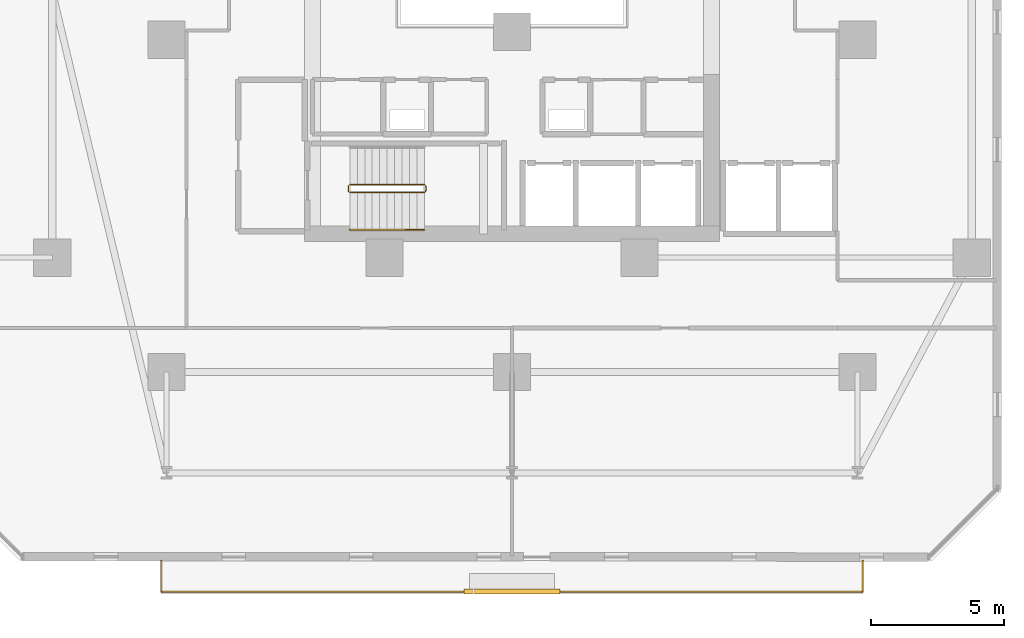
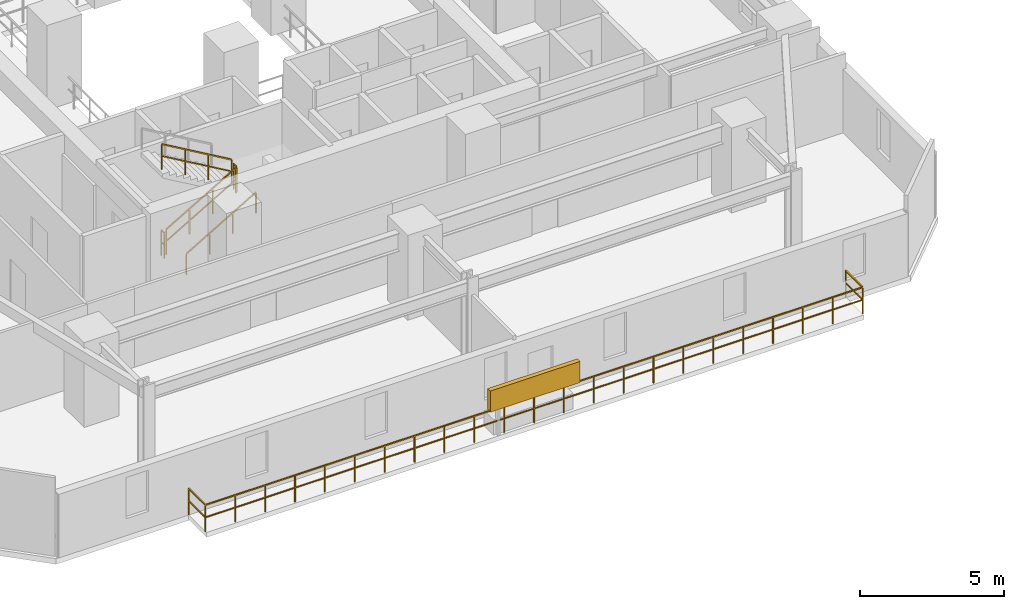
# One storey, part 29 of 33: 6 railings, 1 shading device.
"""IFC4 building model written with IfcOpenShell, lengths in metres."""

from ifc_helpers import new_model, si_unit, direction, frame, origin, origin_2d, place, context, subcontext, project, spatial, rectangle, extrude, material, type_object, element, save


model = new_model("IFC4")

# Units and contexts
model_context = context("Model", 3, precision=1e-05, world=origin(), true_north=direction((0.0, 1.0)))
body_context = subcontext(model_context, "Body", "Model", "MODEL_VIEW")
ifc_project = project(units=[si_unit("LENGTHUNIT", "METRE"), si_unit("AREAUNIT", "SQUARE_METRE"), si_unit("VOLUMEUNIT", "CUBIC_METRE"), si_unit("PLANEANGLEUNIT", "RADIAN"), si_unit("MASSUNIT", "GRAM", prefix="KILO")], contexts=[model_context])

# Site, building, storey
site_placement = place(None, origin())
site = spatial("IfcSite", under=ifc_project, at=site_placement, CompositionType="ELEMENT")
building_placement = place(site_placement, origin())
building = spatial("IfcBuilding", under=site, at=building_placement, Name="Thornwick Lancets Civic Towers", CompositionType="ELEMENT")
storey_placement = place(building_placement, frame((0.0, 0.0, 31.5)))
storey = spatial("IfcBuildingStorey", under=building, at=storey_placement, Name="L07", CompositionType="ELEMENT", Elevation=31.5)

# Railings
ifc_material_1 = material(Name="Brushed stainless steel S355", Category="steel")
railing_type_1 = type_object("IfcRailingType", Name="RAIL_HANDRAIL", PredefinedType="HANDRAIL", material=ifc_material_1)
railing_1_placement = place(storey_placement, frame((19.39990234375, 15.050048828125, 0.16357421875)))
element("IfcRailing", 1, at=railing_1_placement, inside=storey, type_object=railing_type_1, Name="L07 ST-A1 stair handrail 1", PredefinedType="HANDRAIL", context=body_context, shape_type="SweptSolid", body=[
    extrude(rectangle(XDim=0.048095703125, YDim=0.048095703125, at=origin_2d()), frame((0.0, 0.0, 0.8857421875), z_axis=(0.863360870873, 0.0, 0.504586966384), x_axis=(0.0, 1.0, 0.0)), (0.0, 0.0, 1.0), 3.2431640625),
    extrude(rectangle(XDim=0.0419921875, YDim=0.0419921875, at=origin_2d()), origin(), (0.0, 0.0, 1.0), 0.855712890625),
    extrude(rectangle(XDim=0.0419921875, YDim=0.0419921875, at=origin_2d()), frame((0.933349609375, 0.0, 0.54541015625)), (0.0, 0.0, 1.0), 0.855712890625),
    extrude(rectangle(XDim=0.0419921875, YDim=0.0419921875, at=origin_2d()), frame((1.86669921875, 0.0, 1.091064453125)), (0.0, 0.0, 1.0), 0.855712890625),
    extrude(rectangle(XDim=0.0419921875, YDim=0.0419921875, at=origin_2d()), frame((2.800048828125, 0.0, 1.636474609375)), (0.0, 0.0, 1.0), 0.855712890625),
])
ifc_material_2 = material(Name="Steel S355JR", Category="steel")
railing_type_2 = type_object("IfcRailingType", Name="RAIL_STAIR_GUARD", PredefinedType="GUARDRAIL", material=ifc_material_2)
railing_2_placement = place(storey_placement, frame((19.39990234375, 16.449951171875, 0.16357421875)))
element("IfcRailing", 2, at=railing_2_placement, inside=storey, type_object=railing_type_2, Name="L07 ST-A1 stair guard 1", PredefinedType="GUARDRAIL", context=body_context, shape_type="SweptSolid", body=[
    extrude(rectangle(XDim=0.048095703125, YDim=0.048095703125, at=origin_2d()), frame((0.0, 0.0, 1.076171875), z_axis=(0.863360870873, 0.0, 0.504586966384), x_axis=(0.0, 1.0, 0.0)), (0.0, 0.0, 1.0), 3.2431640625),
    extrude(rectangle(XDim=0.0419921875, YDim=0.0419921875, at=origin_2d()), frame((0.032470703125, 0.0, 0.591064453125), z_axis=(0.863360870873, 0.0, 0.504586966384), x_axis=(0.0, 1.0, 0.0)), (0.0, 0.0, 1.0), 1.006103515625),
    extrude(rectangle(XDim=0.0419921875, YDim=0.0419921875, at=origin_2d()), frame((0.9658203125, 0.0, 1.136474609375), z_axis=(0.863360870873, 0.0, 0.504586966384), x_axis=(0.0, 1.0, 0.0)), (0.0, 0.0, 1.0), 1.006103515625),
    extrude(rectangle(XDim=0.0419921875, YDim=0.0419921875, at=origin_2d()), frame((1.899169921875, 0.0, 1.681884765625), z_axis=(0.863360870873, 0.0, 0.504586966384), x_axis=(0.0, 1.0, 0.0)), (0.0, 0.0, 1.0), 1.006103515625),
    extrude(rectangle(XDim=0.0419921875, YDim=0.0419921875, at=origin_2d()), origin(), (0.0, 0.0, 1.0), 1.0458984375),
    extrude(rectangle(XDim=0.0419921875, YDim=0.0419921875, at=origin_2d()), frame((0.933349609375, 0.0, 0.54541015625)), (0.0, 0.0, 1.0), 1.0458984375),
    extrude(rectangle(XDim=0.0419921875, YDim=0.0419921875, at=origin_2d()), frame((1.86669921875, 0.0, 1.091064453125)), (0.0, 0.0, 1.0), 1.0458984375),
    extrude(rectangle(XDim=0.0419921875, YDim=0.0419921875, at=origin_2d()), frame((2.800048828125, 0.0, 1.636474609375)), (0.0, 0.0, 1.0), 1.0458984375),
])
railing_3_placement = place(storey_placement, frame((22.25, 16.5, 1.800048828125)))
element("IfcRailing", 3, at=railing_3_placement, inside=storey, type_object=railing_type_2, Name="L07 ST-A1 stair guard 2", PredefinedType="GUARDRAIL", context=body_context, shape_type="SweptSolid", body=[
    extrude(rectangle(XDim=0.048095703125, YDim=0.048095703125, at=origin_2d()), frame((0.0, 0.0, 1.076171875), z_axis=(0.0, 1.0, 0.0), x_axis=(-1.0, 0.0, 0.0)), (0.0, 0.0, 1.0), 0.199951171875),
    extrude(rectangle(XDim=0.0419921875, YDim=0.0419921875, at=origin_2d()), frame((0.0, 0.03759765625, 0.572021484375), z_axis=(0.0, 1.0, 0.0), x_axis=(-1.0, 0.0, 0.0)), (0.0, 0.0, 1.0), 0.125),
    extrude(rectangle(XDim=0.0419921875, YDim=0.0419921875, at=origin_2d()), origin(), (0.0, 0.0, 1.0), 1.0458984375),
    extrude(rectangle(XDim=0.0419921875, YDim=0.0419921875, at=origin_2d()), frame((0.0, 0.199951171875, 0.0)), (0.0, 0.0, 1.0), 1.0458984375),
])
railing_4_placement = place(storey_placement, frame((22.199951171875, 16.75, 1.963623046875)))
element("IfcRailing", 4, at=railing_4_placement, inside=storey, type_object=railing_type_2, Name="L07 ST-A1 stair guard 3", PredefinedType="GUARDRAIL", context=body_context, shape_type="SweptSolid", body=[
    extrude(rectangle(XDim=0.048095703125, YDim=0.048095703125, at=origin_2d()), frame((0.0, 0.0, 1.076171875), z_axis=(-0.863360870873, 0.0, 0.504586966384), x_axis=(0.0, -1.0, 0.0)), (0.0, 0.0, 1.0), 3.2431640625),
    extrude(rectangle(XDim=0.0419921875, YDim=0.0419921875, at=origin_2d()), frame((-0.032470703125, 0.0, 0.591064453125), z_axis=(-0.863360870873, 0.0, 0.504586966384), x_axis=(0.0, -1.0, 0.0)), (0.0, 0.0, 1.0), 1.006103515625),
    extrude(rectangle(XDim=0.0419921875, YDim=0.0419921875, at=origin_2d()), frame((-0.9658203125, 0.0, 1.136474609375), z_axis=(-0.863360870873, 0.0, 0.504586966384), x_axis=(0.0, -1.0, 0.0)), (0.0, 0.0, 1.0), 1.006103515625),
    extrude(rectangle(XDim=0.0419921875, YDim=0.0419921875, at=origin_2d()), frame((-1.899169921875, 0.0, 1.681884765625), z_axis=(-0.863360870873, 0.0, 0.504586966384), x_axis=(0.0, -1.0, 0.0)), (0.0, 0.0, 1.0), 1.006103515625),
    extrude(rectangle(XDim=0.0419921875, YDim=0.0419921875, at=origin_2d()), origin(), (0.0, 0.0, 1.0), 1.0458984375),
    extrude(rectangle(XDim=0.0419921875, YDim=0.0419921875, at=origin_2d()), frame((-0.933349609375, 0.0, 0.54541015625)), (0.0, 0.0, 1.0), 1.0458984375),
    extrude(rectangle(XDim=0.0419921875, YDim=0.0419921875, at=origin_2d()), frame((-1.86669921875, 0.0, 1.091064453125)), (0.0, 0.0, 1.0), 1.0458984375),
    extrude(rectangle(XDim=0.0419921875, YDim=0.0419921875, at=origin_2d()), frame((-2.800048828125, 0.0, 1.636474609375)), (0.0, 0.0, 1.0), 1.0458984375),
])
railing_5_placement = place(storey_placement, frame((19.35009765625, 16.5, 0.0)))
element("IfcRailing", 5, at=railing_5_placement, inside=storey, type_object=railing_type_2, Name="L07 ST-A1 stair guard 4", PredefinedType="GUARDRAIL", context=body_context, shape_type="SweptSolid", body=[
    extrude(rectangle(XDim=0.048095703125, YDim=0.048095703125, at=origin_2d()), frame((0.0, 0.0, 1.076171875), z_axis=(0.0, 1.0, 0.0), x_axis=(-1.0, 0.0, 0.0)), (0.0, 0.0, 1.0), 0.199951171875),
    extrude(rectangle(XDim=0.0419921875, YDim=0.0419921875, at=origin_2d()), frame((0.0, 0.03759765625, 0.572021484375), z_axis=(0.0, 1.0, 0.0), x_axis=(-1.0, 0.0, 0.0)), (0.0, 0.0, 1.0), 0.125),
    extrude(rectangle(XDim=0.0419921875, YDim=0.0419921875, at=origin_2d()), origin(), (0.0, 0.0, 1.0), 1.0458984375),
    extrude(rectangle(XDim=0.0419921875, YDim=0.0419921875, at=origin_2d()), frame((0.0, 0.199951171875, 0.0)), (0.0, 0.0, 1.0), 1.0458984375),
])
ifc_material_3 = material(Name="Terracotta-capped laminated glass balustrade S355", Category="masonry")
railing_type_3 = type_object("IfcRailingType", Name="RAIL_TERR_GUARD", PredefinedType="GUARDRAIL", material=ifc_material_3)
railing_6_placement = place(storey_placement, frame((12.300048828125, 2.60009765625, 0.0)))
element("IfcRailing", 6, at=railing_6_placement, inside=storey, type_object=railing_type_3, Name="L07 Tower A Balcony Guard S", PredefinedType="GUARDRAIL", context=body_context, shape_type="SweptSolid", body=[
    extrude(rectangle(XDim=0.048095703125, YDim=0.048095703125, at=origin_2d()), frame((0.0, 0.0, 1.1259765625), z_axis=(0.0, -1.0, 0.0), x_axis=(1.0, 0.0, 0.0)), (0.0, 0.0, 1.0), 1.138916015625),
    extrude(rectangle(XDim=0.0419921875, YDim=0.0419921875, at=origin_2d()), frame((0.0, -0.03759765625, 0.597900390625), z_axis=(0.0, -1.0, 0.0), x_axis=(1.0, 0.0, 0.0)), (0.0, 0.0, 1.0), 1.09521484375),
    extrude(rectangle(XDim=0.048095703125, YDim=0.048095703125, at=origin_2d()), frame((0.03125, -1.170166015625, 1.1259765625), z_axis=(1.0, 0.0, 0.0), x_axis=(0.0, 1.0, 0.0)), (0.0, 0.0, 1.0), 26.33740234375),
    extrude(rectangle(XDim=0.0419921875, YDim=0.0419921875, at=origin_2d()), frame((0.03759765625, -1.170166015625, 0.597900390625), z_axis=(1.0, 0.0, 0.0), x_axis=(0.0, 1.0, 0.0)), (0.0, 0.0, 1.0), 1.125),
    extrude(rectangle(XDim=0.0419921875, YDim=0.0419921875, at=origin_2d()), frame((1.237548828125, -1.170166015625, 0.597900390625), z_axis=(1.0, 0.0, 0.0), x_axis=(0.0, 1.0, 0.0)), (0.0, 0.0, 1.0), 1.125),
    extrude(rectangle(XDim=0.0419921875, YDim=0.0419921875, at=origin_2d()), frame((2.4375, -1.170166015625, 0.597900390625), z_axis=(1.0, 0.0, 0.0), x_axis=(0.0, 1.0, 0.0)), (0.0, 0.0, 1.0), 1.125),
    extrude(rectangle(XDim=0.0419921875, YDim=0.0419921875, at=origin_2d()), frame((3.637451171875, -1.170166015625, 0.597900390625), z_axis=(1.0, 0.0, 0.0), x_axis=(0.0, 1.0, 0.0)), (0.0, 0.0, 1.0), 1.125),
    extrude(rectangle(XDim=0.0419921875, YDim=0.0419921875, at=origin_2d()), frame((4.83740234375, -1.170166015625, 0.597900390625), z_axis=(1.0, 0.0, 0.0), x_axis=(0.0, 1.0, 0.0)), (0.0, 0.0, 1.0), 1.125),
    extrude(rectangle(XDim=0.0419921875, YDim=0.0419921875, at=origin_2d()), frame((6.037353515625, -1.170166015625, 0.597900390625), z_axis=(1.0, 0.0, 0.0), x_axis=(0.0, 1.0, 0.0)), (0.0, 0.0, 1.0), 1.125),
    extrude(rectangle(XDim=0.0419921875, YDim=0.0419921875, at=origin_2d()), frame((7.237548828125, -1.170166015625, 0.597900390625), z_axis=(1.0, 0.0, 0.0), x_axis=(0.0, 1.0, 0.0)), (0.0, 0.0, 1.0), 1.125),
    extrude(rectangle(XDim=0.0419921875, YDim=0.0419921875, at=origin_2d()), frame((8.4375, -1.170166015625, 0.597900390625), z_axis=(1.0, 0.0, 0.0), x_axis=(0.0, 1.0, 0.0)), (0.0, 0.0, 1.0), 1.125),
    extrude(rectangle(XDim=0.0419921875, YDim=0.0419921875, at=origin_2d()), frame((9.637451171875, -1.170166015625, 0.597900390625), z_axis=(1.0, 0.0, 0.0), x_axis=(0.0, 1.0, 0.0)), (0.0, 0.0, 1.0), 1.125),
    extrude(rectangle(XDim=0.0419921875, YDim=0.0419921875, at=origin_2d()), frame((10.83740234375, -1.170166015625, 0.597900390625), z_axis=(1.0, 0.0, 0.0), x_axis=(0.0, 1.0, 0.0)), (0.0, 0.0, 1.0), 1.125),
    extrude(rectangle(XDim=0.0419921875, YDim=0.0419921875, at=origin_2d()), frame((12.037353515625, -1.170166015625, 0.597900390625), z_axis=(1.0, 0.0, 0.0), x_axis=(0.0, 1.0, 0.0)), (0.0, 0.0, 1.0), 1.125),
    extrude(rectangle(XDim=0.0419921875, YDim=0.0419921875, at=origin_2d()), frame((13.237548828125, -1.170166015625, 0.597900390625), z_axis=(1.0, 0.0, 0.0), x_axis=(0.0, 1.0, 0.0)), (0.0, 0.0, 1.0), 1.125),
    extrude(rectangle(XDim=0.0419921875, YDim=0.0419921875, at=origin_2d()), frame((14.4375, -1.170166015625, 0.597900390625), z_axis=(1.0, 0.0, 0.0), x_axis=(0.0, 1.0, 0.0)), (0.0, 0.0, 1.0), 1.125),
    extrude(rectangle(XDim=0.0419921875, YDim=0.0419921875, at=origin_2d()), frame((15.637451171875, -1.170166015625, 0.597900390625), z_axis=(1.0, 0.0, 0.0), x_axis=(0.0, 1.0, 0.0)), (0.0, 0.0, 1.0), 1.125),
    extrude(rectangle(XDim=0.0419921875, YDim=0.0419921875, at=origin_2d()), frame((16.83740234375, -1.170166015625, 0.597900390625), z_axis=(1.0, 0.0, 0.0), x_axis=(0.0, 1.0, 0.0)), (0.0, 0.0, 1.0), 1.125),
    extrude(rectangle(XDim=0.0419921875, YDim=0.0419921875, at=origin_2d()), frame((18.037353515625, -1.170166015625, 0.597900390625), z_axis=(1.0, 0.0, 0.0), x_axis=(0.0, 1.0, 0.0)), (0.0, 0.0, 1.0), 1.125),
    extrude(rectangle(XDim=0.0419921875, YDim=0.0419921875, at=origin_2d()), frame((19.2373046875, -1.170166015625, 0.597900390625), z_axis=(1.0, 0.0, 0.0), x_axis=(0.0, 1.0, 0.0)), (0.0, 0.0, 1.0), 1.125),
    extrude(rectangle(XDim=0.0419921875, YDim=0.0419921875, at=origin_2d()), frame((20.4375, -1.170166015625, 0.597900390625), z_axis=(1.0, 0.0, 0.0), x_axis=(0.0, 1.0, 0.0)), (0.0, 0.0, 1.0), 1.125),
    extrude(rectangle(XDim=0.0419921875, YDim=0.0419921875, at=origin_2d()), frame((21.637451171875, -1.170166015625, 0.597900390625), z_axis=(1.0, 0.0, 0.0), x_axis=(0.0, 1.0, 0.0)), (0.0, 0.0, 1.0), 1.125),
    extrude(rectangle(XDim=0.0419921875, YDim=0.0419921875, at=origin_2d()), frame((22.83740234375, -1.170166015625, 0.597900390625), z_axis=(1.0, 0.0, 0.0), x_axis=(0.0, 1.0, 0.0)), (0.0, 0.0, 1.0), 1.125),
    extrude(rectangle(XDim=0.0419921875, YDim=0.0419921875, at=origin_2d()), frame((24.037353515625, -1.170166015625, 0.597900390625), z_axis=(1.0, 0.0, 0.0), x_axis=(0.0, 1.0, 0.0)), (0.0, 0.0, 1.0), 1.125),
    extrude(rectangle(XDim=0.0419921875, YDim=0.0419921875, at=origin_2d()), frame((25.2373046875, -1.170166015625, 0.597900390625), z_axis=(1.0, 0.0, 0.0), x_axis=(0.0, 1.0, 0.0)), (0.0, 0.0, 1.0), 1.125),
    extrude(rectangle(XDim=0.048095703125, YDim=0.048095703125, at=origin_2d()), frame((26.39990234375, -1.138916015625, 1.1259765625), z_axis=(0.0, 1.0, 0.0), x_axis=(-1.0, 0.0, 0.0)), (0.0, 0.0, 1.0), 1.138916015625),
    extrude(rectangle(XDim=0.0419921875, YDim=0.0419921875, at=origin_2d()), frame((26.39990234375, -1.132568359375, 0.597900390625), z_axis=(0.0, 1.0, 0.0), x_axis=(-1.0, 0.0, 0.0)), (0.0, 0.0, 1.0), 1.09521484375),
    extrude(rectangle(XDim=0.0419921875, YDim=0.0419921875, at=origin_2d()), origin(), (0.0, 0.0, 1.0), 1.095703125),
    extrude(rectangle(XDim=0.0419921875, YDim=0.0419921875, at=origin_2d()), frame((0.0, -1.170166015625, 0.0)), (0.0, 0.0, 1.0), 1.095703125),
    extrude(rectangle(XDim=0.0419921875, YDim=0.0419921875, at=origin_2d()), frame((1.199951171875, -1.170166015625, 0.0)), (0.0, 0.0, 1.0), 1.095703125),
    extrude(rectangle(XDim=0.0419921875, YDim=0.0419921875, at=origin_2d()), frame((2.39990234375, -1.170166015625, 0.0)), (0.0, 0.0, 1.0), 1.095703125),
    extrude(rectangle(XDim=0.0419921875, YDim=0.0419921875, at=origin_2d()), frame((3.60009765625, -1.170166015625, 0.0)), (0.0, 0.0, 1.0), 1.095703125),
    extrude(rectangle(XDim=0.0419921875, YDim=0.0419921875, at=origin_2d()), frame((4.800048828125, -1.170166015625, 0.0)), (0.0, 0.0, 1.0), 1.095703125),
    extrude(rectangle(XDim=0.0419921875, YDim=0.0419921875, at=origin_2d()), frame((6.0, -1.170166015625, 0.0)), (0.0, 0.0, 1.0), 1.095703125),
    extrude(rectangle(XDim=0.0419921875, YDim=0.0419921875, at=origin_2d()), frame((7.199951171875, -1.170166015625, 0.0)), (0.0, 0.0, 1.0), 1.095703125),
    extrude(rectangle(XDim=0.0419921875, YDim=0.0419921875, at=origin_2d()), frame((8.39990234375, -1.170166015625, 0.0)), (0.0, 0.0, 1.0), 1.095703125),
    extrude(rectangle(XDim=0.0419921875, YDim=0.0419921875, at=origin_2d()), frame((9.599853515625, -1.170166015625, 0.0)), (0.0, 0.0, 1.0), 1.095703125),
    extrude(rectangle(XDim=0.0419921875, YDim=0.0419921875, at=origin_2d()), frame((10.800048828125, -1.170166015625, 0.0)), (0.0, 0.0, 1.0), 1.095703125),
    extrude(rectangle(XDim=0.0419921875, YDim=0.0419921875, at=origin_2d()), frame((12.0, -1.170166015625, 0.0)), (0.0, 0.0, 1.0), 1.095703125),
    extrude(rectangle(XDim=0.0419921875, YDim=0.0419921875, at=origin_2d()), frame((13.199951171875, -1.170166015625, 0.0)), (0.0, 0.0, 1.0), 1.095703125),
    extrude(rectangle(XDim=0.0419921875, YDim=0.0419921875, at=origin_2d()), frame((14.39990234375, -1.170166015625, 0.0)), (0.0, 0.0, 1.0), 1.095703125),
    extrude(rectangle(XDim=0.0419921875, YDim=0.0419921875, at=origin_2d()), frame((15.599853515625, -1.170166015625, 0.0)), (0.0, 0.0, 1.0), 1.095703125),
    extrude(rectangle(XDim=0.0419921875, YDim=0.0419921875, at=origin_2d()), frame((16.800048828125, -1.170166015625, 0.0)), (0.0, 0.0, 1.0), 1.095703125),
    extrude(rectangle(XDim=0.0419921875, YDim=0.0419921875, at=origin_2d()), frame((18.0, -1.170166015625, 0.0)), (0.0, 0.0, 1.0), 1.095703125),
    extrude(rectangle(XDim=0.0419921875, YDim=0.0419921875, at=origin_2d()), frame((19.199951171875, -1.170166015625, 0.0)), (0.0, 0.0, 1.0), 1.095703125),
    extrude(rectangle(XDim=0.0419921875, YDim=0.0419921875, at=origin_2d()), frame((20.39990234375, -1.170166015625, 0.0)), (0.0, 0.0, 1.0), 1.095703125),
    extrude(rectangle(XDim=0.0419921875, YDim=0.0419921875, at=origin_2d()), frame((21.599853515625, -1.170166015625, 0.0)), (0.0, 0.0, 1.0), 1.095703125),
    extrude(rectangle(XDim=0.0419921875, YDim=0.0419921875, at=origin_2d()), frame((22.7998046875, -1.170166015625, 0.0)), (0.0, 0.0, 1.0), 1.095703125),
    extrude(rectangle(XDim=0.0419921875, YDim=0.0419921875, at=origin_2d()), frame((24.0, -1.170166015625, 0.0)), (0.0, 0.0, 1.0), 1.095703125),
    extrude(rectangle(XDim=0.0419921875, YDim=0.0419921875, at=origin_2d()), frame((25.199951171875, -1.170166015625, 0.0)), (0.0, 0.0, 1.0), 1.095703125),
    extrude(rectangle(XDim=0.0419921875, YDim=0.0419921875, at=origin_2d()), frame((26.39990234375, -1.170166015625, 0.0)), (0.0, 0.0, 1.0), 1.095703125),
    extrude(rectangle(XDim=0.0419921875, YDim=0.0419921875, at=origin_2d()), frame((26.39990234375, 0.0, 0.0)), (0.0, 0.0, 1.0), 1.095703125),
])

# Shading device
ifc_material_4 = material(Name="Extruded terracotta baguette solar screen", Category="masonry")
shading_device_type = type_object("IfcShadingDeviceType", Name="SHADE_BAGUETTE", PredefinedType="JALOUSIE", material=ifc_material_4)
shading_device_placement = place(storey_placement, frame((25.5, 1.43994140625, 1.1201171875), z_axis=(0.0, 0.0, 1.0), x_axis=(1.0, 0.0, 0.0)))
element("IfcShadingDevice", 7, at=shading_device_placement, inside=storey, type_object=shading_device_type, Name="L07 Tower A Terracotta Baguette Screen S", PredefinedType="JALOUSIE", context=body_context, shape_type="SweptSolid", body=[
    extrude(rectangle(XDim=3.60009765625, YDim=0.179931640625, at=origin_2d()), origin(), (0.0, 0.0, 1.0), 0.89990234375),
])

save(model, "model.ifc")
